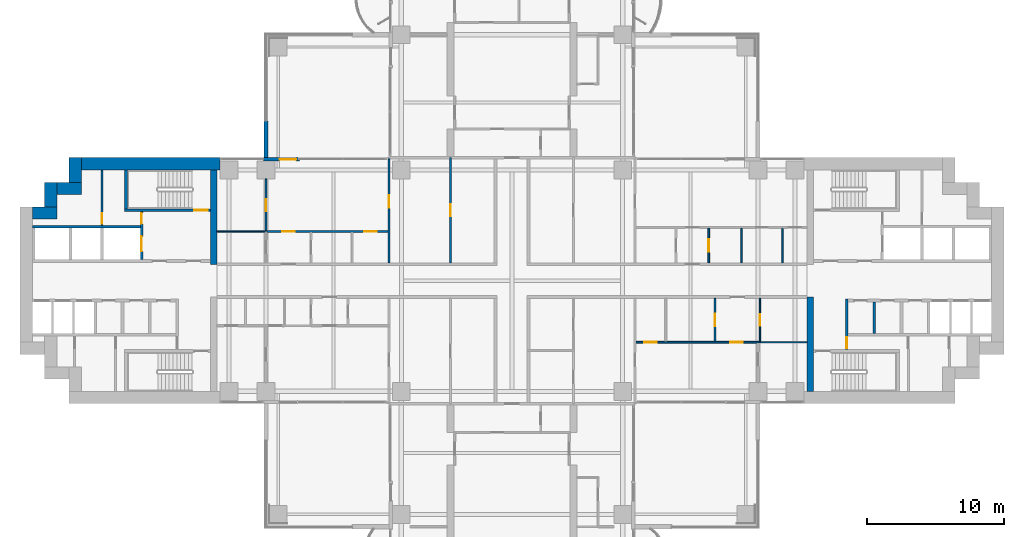
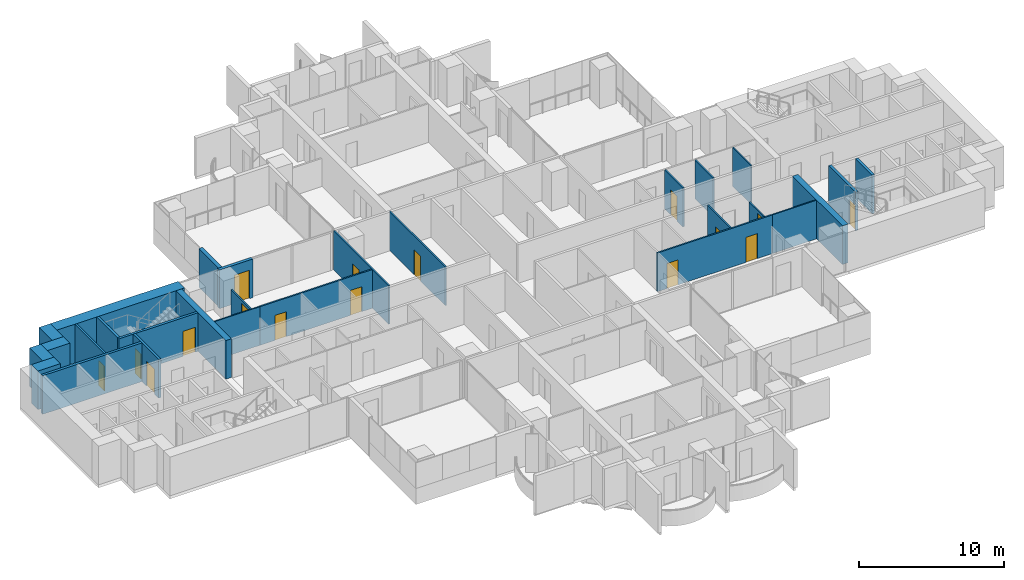
# One storey, part 13 of 20: 28 walls, 16 doors, 16 openings.
"""IFC4 building model written with IfcOpenShell, lengths in metres."""

from ifc_helpers import new_model, si_unit, direction, frame, frame_2d, origin, place, context, subcontext, project, spatial, rectangle, extrude, material, layer, layer_set, type_object, element, fill, save


model = new_model("IFC4")

# Units and contexts
model_context = context("Model", 3, precision=1e-05, world=origin(), true_north=direction((0.0, 1.0)))
body_context = subcontext(model_context, "Body", "Model", "MODEL_VIEW")
ifc_project = project(units=[si_unit("LENGTHUNIT", "METRE"), si_unit("AREAUNIT", "SQUARE_METRE"), si_unit("VOLUMEUNIT", "CUBIC_METRE"), si_unit("PLANEANGLEUNIT", "RADIAN"), si_unit("MASSUNIT", "GRAM", prefix="KILO")], contexts=[model_context])

# Site, building, storey
site_placement = place(None, origin())
site = spatial("IfcSite", under=ifc_project, at=site_placement, CompositionType="ELEMENT")
building_placement = place(site_placement, origin())
building = spatial("IfcBuilding", under=site, at=building_placement, Name="Perihelion Cross Residences", CompositionType="ELEMENT")
storey_placement = place(building_placement, frame((0.0, 0.0, 82.0)))
storey = spatial("IfcBuildingStorey", under=building, at=storey_placement, Name="L18", CompositionType="ELEMENT", Elevation=82.0)

# Wall, opening, door
ifc_material_1 = material(Name="Concrete C30/37, bronze-clad", Category="concrete")
ifc_layer_1 = layer(ifc_material_1, 0.25)
ifc_layer_set_1 = layer_set([ifc_layer_1], Name="Bronze-clad pier wall 250")
wall_type_1 = type_object("IfcWallType", Name="Bronze-clad pier wall 250", PredefinedType="SOLIDWALL", material=ifc_layer_set_1)
wall_1_placement = place(storey_placement, frame((-15.550048828125, 8.875, 0.0), z_axis=(0.0, 0.0, 1.0), x_axis=(-1.0, 0.0, 0.0)))
wall_1 = element("IfcWall", 1, at=wall_1_placement, inside=storey, type_object=wall_type_1, Name="Wall FW1 L18 west side north bay 1 pier", PredefinedType="SOLIDWALL", context=body_context, shape_type="SweptSolid", body=[
    extrude(rectangle(XDim=2.64990234375, YDim=0.25, at=frame_2d((1.324951171875, 0.0))), origin(), (0.0, 0.0, 1.0), 3.25),
])
opening_1_placement = place(wall_1_placement, frame((0.25, 0.0, 0.0)))
opening_1 = element("IfcOpeningElement", 2, at=opening_1_placement, cuts=wall_1, Name="Opening L18.E08", PredefinedType="OPENING", context=body_context, shape_type="SweptSolid", body=[
    extrude(rectangle(XDim=1.199951171875, YDim=2.39990234375, at=frame_2d((0.60009765625, 1.199951171875))), frame((0.0, 0.135009765625, 0.0), z_axis=(0.0, -1.0, 0.0), x_axis=(1.0, 0.0, 0.0)), (0.0, 0.0, 1.0), 0.27001953125),
])
ifc_material_2 = material(Name="Bronze anodised aluminium, glazed", Category="aluminium")
door_type_1 = type_object("IfcDoorType", Name="Balcony door 1200 x 2400", OperationType="NOTDEFINED", PredefinedType="DOOR", material=ifc_material_2)
door_1_placement = place(opening_1_placement, origin())
door_1 = element("IfcDoor", 3, at=door_1_placement, inside=storey, type_object=door_type_1, Name="Door L18.E08 west side north bay 1", OperationType="SINGLE_SWING_LEFT", OverallHeight=2.39990234375, OverallWidth=1.199951171875, PredefinedType="DOOR", context=body_context, shape_type="SweptSolid", body=[
    extrude(rectangle(XDim=1.199951171875, YDim=2.39990234375, at=frame_2d((0.60009765625, 1.199951171875))), frame((0.0, 0.02490234375, 0.0), z_axis=(0.0, -1.0, 0.0), x_axis=(1.0, 0.0, 0.0)), (0.0, 0.0, 1.0), 0.050048828125),
])
fill(opening_1, door_1)

# Walls
ifc_material_3 = material(Name="Concrete C60/75", Category="concrete")
ifc_layer_2 = layer(ifc_material_3, 0.449951171875)
ifc_layer_set_2 = layer_set([ifc_layer_2], Name="Core wall, inner 450")
wall_type_2 = type_object("IfcWallType", Name="Core wall, inner 450", PredefinedType="SHEAR", material=ifc_layer_set_2)
for number, where, z_axis, x_axis, name in (
    (4, (21.824951171875, -8.10009765625, 0.0), (0.0, 0.0, 1.0), (0.0, 1.0, 0.0), "East core core wall, inner"),
    (5, (-21.824951171875, 1.199951171875, 0.0), (0.0, 0.0, 1.0), (0.0, 1.0, 0.0), "West core core wall, inner"),
):
    element("IfcWall", number, at=place(storey_placement, frame(where, z_axis=z_axis, x_axis=x_axis)), inside=storey, type_object=wall_type_2, Name=name, PredefinedType="SHEAR", context=body_context, shape_type="SweptSolid", body=[
        extrude(rectangle(XDim=6.900146484375, YDim=0.449951171875, at=frame_2d((3.4501953125, 0.0))), origin(), (0.0, 0.0, 1.0), 3.25),
    ])
ifc_material_4 = material(Name="Concrete C60/75", Category="concrete")
ifc_layer_3 = layer(ifc_material_4, 0.89990234375)
ifc_layer_set_3 = layer_set([ifc_layer_3], Name="Core wall, outer 900")
wall_type_3 = type_object("IfcWallType", Name="Core wall, outer 900", PredefinedType="SHEAR", material=ifc_layer_set_3)
for number, where, z_axis, x_axis, name in (
    (6, (-35.10009765625, 4.949951171875, 0.0), (0.0, 0.0, 1.0), (1.0, 0.0, 0.0), "West core core wall, outer"),
    (7, (-33.75, 5.39990234375, 0.0), (0.0, 0.0, 1.0), (0.0, 1.0, 0.0), "West core core wall, outer"),
    (8, (-33.300048828125, 6.75, 0.0), (0.0, 0.0, 1.0), (1.0, 0.0, 0.0), "West core core wall, outer"),
    (9, (-31.949951171875, 7.199951171875, 0.0), (0.0, 0.0, 1.0), (0.0, 1.0, 0.0), "West core core wall, outer"),
):
    element("IfcWall", number, at=place(storey_placement, frame(where, z_axis=z_axis, x_axis=x_axis)), inside=storey, type_object=wall_type_3, Name=name, PredefinedType="SHEAR", context=body_context, shape_type="SweptSolid", body=[
        extrude(rectangle(XDim=1.800048828125, YDim=0.89990234375, at=frame_2d((0.89990234375, 0.0))), origin(), (0.0, 0.0, 1.0), 3.25),
    ])
wall_2_placement = place(storey_placement, frame((-31.5, 8.550048828125, 0.0), z_axis=(0.0, 0.0, 1.0), x_axis=(1.0, 0.0, 0.0)))
element("IfcWall", 10, at=wall_2_placement, inside=storey, type_object=wall_type_3, Name="West core core wall, outer", PredefinedType="SHEAR", context=body_context, shape_type="SweptSolid", body=[
    extrude(rectangle(XDim=10.14990234375, YDim=0.89990234375, at=frame_2d((5.074951171875, 0.0))), origin(), (0.0, 0.0, 1.0), 3.25),
])

# Wall, opening, door
ifc_material_5 = material(Name="Concrete C50/60", Category="concrete")
ifc_layer_4 = layer(ifc_material_5, 0.199951171875)
ifc_layer_set_4 = layer_set([ifc_layer_4], Name="Lobby wall 200")
wall_type_4 = type_object("IfcWallType", Name="Lobby wall 200", PredefinedType="SOLIDWALL", material=ifc_layer_set_4)
wall_3_placement = place(storey_placement, frame((24.5, -5.050048828125, 0.0), z_axis=(0.0, 0.0, 1.0), x_axis=(0.0, 1.0, 0.0)))
wall_3 = element("IfcWall", 11, at=wall_3_placement, inside=storey, type_object=wall_type_4, Name="East core lobby wall", PredefinedType="SOLIDWALL", context=body_context, shape_type="SweptSolid", body=[
    extrude(rectangle(XDim=3.699951171875, YDim=0.199951171875, at=frame_2d((1.85009765625, 0.0))), origin(), (0.0, 0.0, 1.0), 3.25),
])
opening_2_placement = place(wall_3_placement, frame((0.10009765625, 0.0, 0.0)))
opening_2 = element("IfcOpeningElement", 12, at=opening_2_placement, cuts=wall_3, Name="Opening L18.C08", PredefinedType="OPENING", context=body_context, shape_type="SweptSolid", body=[
    extrude(rectangle(XDim=0.800048828125, YDim=2.10009765625, at=frame_2d((0.39990234375, 1.050048828125))), frame((0.0, 0.10986328125, 0.0), z_axis=(0.0, -1.0, 0.0), x_axis=(1.0, 0.0, 0.0)), (0.0, 0.0, 1.0), 0.219970703125),
])
ifc_material_6 = material(Name="Steel, powder coated", Category="steel")
door_type_2 = type_object("IfcDoorType", Name="Riser door 800", OperationType="SINGLE_SWING_LEFT", PredefinedType="DOOR", material=ifc_material_6)
door_2_placement = place(opening_2_placement, origin())
door_2 = element("IfcDoor", 13, at=door_2_placement, inside=storey, type_object=door_type_2, Name="East core riser door", OperationType="SINGLE_SWING_LEFT", OverallHeight=2.10009765625, OverallWidth=0.800048828125, PredefinedType="DOOR", context=body_context, shape_type="SweptSolid", body=[
    extrude(rectangle(XDim=0.800048828125, YDim=2.10009765625, at=frame_2d((0.39990234375, 1.050048828125))), frame((0.0, 0.02490234375, 0.0), z_axis=(0.0, -1.0, 0.0), x_axis=(1.0, 0.0, 0.0)), (0.0, 0.0, 1.0), 0.050048828125),
])
fill(opening_2, door_2)

ifc_material_7 = material(Name="Plasterboard partition")
ifc_layer_5 = layer(ifc_material_7, 0.1201171875)
ifc_layer_set_5 = layer_set([ifc_layer_5], Name="Partition wall 120")
wall_type_5 = type_object("IfcWallType", Name="Partition wall 120", PredefinedType="PARTITIONING", material=ifc_layer_set_5)
wall_4_placement = place(storey_placement, frame((14.39990234375, 3.840087890625, 0.0), z_axis=(0.0, 0.0, 1.0), x_axis=(0.0, -1.0, 0.0)))
wall_4 = element("IfcWall", 14, at=wall_4_placement, inside=storey, type_object=wall_type_5, Name="Partition L18 W014", PredefinedType="PARTITIONING", context=body_context, shape_type="SweptSolid", body=[
    extrude(rectangle(XDim=2.5400390625, YDim=0.1201171875, at=frame_2d((1.27001953125, 0.0))), origin(), (0.0, 0.0, 1.0), 3.25),
])
opening_3_placement = place(wall_4_placement, frame((0.820068359375, 0.0, 0.0)))
opening_3 = element("IfcOpeningElement", 15, at=opening_3_placement, cuts=wall_4, Name="Opening L18.A07", PredefinedType="OPENING", context=body_context, shape_type="SweptSolid", body=[
    extrude(rectangle(XDim=0.89990234375, YDim=2.10009765625, at=frame_2d((0.449951171875, 1.050048828125))), frame((0.0, 0.070068359375, 0.0), z_axis=(0.0, -1.0, 0.0), x_axis=(1.0, 0.0, 0.0)), (0.0, 0.0, 1.0), 0.14013671875),
])
ifc_material_8 = material(Name="Timber door leaf", Category="wood")
door_type_3 = type_object("IfcDoorType", Name="Interior room door 900 x 2100", OperationType="SINGLE_SWING_LEFT", PredefinedType="DOOR", material=ifc_material_8)
door_3_placement = place(opening_3_placement, origin())
door_3 = element("IfcDoor", 16, at=door_3_placement, inside=storey, type_object=door_type_3, Name="Door L18.A07", OperationType="SINGLE_SWING_LEFT", OverallHeight=2.10009765625, OverallWidth=0.89990234375, PredefinedType="DOOR", context=body_context, shape_type="SweptSolid", body=[
    extrude(rectangle(XDim=0.89990234375, YDim=2.10009765625, at=frame_2d((0.449951171875, 1.050048828125))), frame((0.0, 0.02490234375, 0.0), z_axis=(0.0, -1.0, 0.0), x_axis=(1.0, 0.0, 0.0)), (0.0, 0.0, 1.0), 0.050048828125),
])
fill(opening_3, door_3)

# Wall, openings, doors
wall_5_placement = place(storey_placement, frame((18.06005859375, -4.5, 0.0), z_axis=(0.0, 0.0, 1.0), x_axis=(-1.0, 0.0, 0.0)))
wall_5 = element("IfcWall", 17, at=wall_5_placement, inside=storey, type_object=wall_type_5, Name="Partition L18 W021", PredefinedType="PARTITIONING", context=body_context, shape_type="SweptSolid", body=[
    extrude(rectangle(XDim=9.1201171875, YDim=0.1201171875, at=frame_2d((4.56005859375, 0.0))), origin(), (0.0, 0.0, 1.0), 3.25),
])
opening_4_placement = place(wall_5_placement, frame((1.18505859375, 0.0, 0.0)))
opening_4 = element("IfcOpeningElement", 18, at=opening_4_placement, cuts=wall_5, Name="Opening L18.A13", PredefinedType="OPENING", context=body_context, shape_type="SweptSolid", body=[
    extrude(rectangle(XDim=0.89990234375, YDim=2.10009765625, at=frame_2d((0.449951171875, 1.050048828125))), frame((0.0, 0.070068359375, 0.0), z_axis=(0.0, -1.0, 0.0), x_axis=(1.0, 0.0, 0.0)), (0.0, 0.0, 1.0), 0.14013671875),
])
opening_5_placement = place(wall_5_placement, frame((7.485107421875, 0.0, 0.0)))
opening_5 = element("IfcOpeningElement", 19, at=opening_5_placement, cuts=wall_5, Name="Opening L18.A15", PredefinedType="OPENING", context=body_context, shape_type="SweptSolid", body=[
    extrude(rectangle(XDim=0.89990234375, YDim=2.10009765625, at=frame_2d((0.449951171875, 1.050048828125))), frame((0.0, 0.070068359375, 0.0), z_axis=(0.0, -1.0, 0.0), x_axis=(1.0, 0.0, 0.0)), (0.0, 0.0, 1.0), 0.14013671875),
])
door_4_placement = place(opening_4_placement, origin())
door_4 = element("IfcDoor", 20, at=door_4_placement, inside=storey, type_object=door_type_3, Name="Door L18.A13", OperationType="SINGLE_SWING_RIGHT", OverallHeight=2.10009765625, OverallWidth=0.89990234375, PredefinedType="DOOR", context=body_context, shape_type="SweptSolid", body=[
    extrude(rectangle(XDim=0.89990234375, YDim=2.10009765625, at=frame_2d((0.449951171875, 1.050048828125))), frame((0.0, 0.02490234375, 0.0), z_axis=(0.0, -1.0, 0.0), x_axis=(1.0, 0.0, 0.0)), (0.0, 0.0, 1.0), 0.050048828125),
])
fill(opening_4, door_4)
door_5_placement = place(opening_5_placement, origin())
door_5 = element("IfcDoor", 21, at=door_5_placement, inside=storey, type_object=door_type_3, Name="Door L18.A15", OperationType="SINGLE_SWING_RIGHT", OverallHeight=2.10009765625, OverallWidth=0.89990234375, PredefinedType="DOOR", context=body_context, shape_type="SweptSolid", body=[
    extrude(rectangle(XDim=0.89990234375, YDim=2.10009765625, at=frame_2d((0.449951171875, 1.050048828125))), frame((0.0, 0.02490234375, 0.0), z_axis=(0.0, -1.0, 0.0), x_axis=(1.0, 0.0, 0.0)), (0.0, 0.0, 1.0), 0.050048828125),
])
fill(opening_5, door_5)

# Wall, opening, door
wall_6_placement = place(storey_placement, frame((14.85009765625, -1.300048828125, 0.0), z_axis=(0.0, 0.0, 1.0), x_axis=(0.0, -1.0, 0.0)))
wall_6 = element("IfcWall", 22, at=wall_6_placement, inside=storey, type_object=wall_type_5, Name="Partition L18 W023", PredefinedType="PARTITIONING", context=body_context, shape_type="SweptSolid", body=[
    extrude(rectangle(XDim=3.139892578125, YDim=0.1201171875, at=frame_2d((1.56982421875, 0.0))), origin(), (0.0, 0.0, 1.0), 3.25),
])
opening_6_placement = place(wall_6_placement, frame((1.1201171875, 0.0, 0.0)))
opening_6 = element("IfcOpeningElement", 23, at=opening_6_placement, cuts=wall_6, Name="Opening L18.A12", PredefinedType="OPENING", context=body_context, shape_type="SweptSolid", body=[
    extrude(rectangle(XDim=0.89990234375, YDim=2.10009765625, at=frame_2d((0.449951171875, 1.050048828125))), frame((0.0, 0.070068359375, 0.0), z_axis=(0.0, -1.0, 0.0), x_axis=(1.0, 0.0, 0.0)), (0.0, 0.0, 1.0), 0.14013671875),
])
door_6_placement = place(opening_6_placement, origin())
door_6 = element("IfcDoor", 24, at=door_6_placement, inside=storey, type_object=door_type_3, Name="Door L18.A12", OperationType="SINGLE_SWING_LEFT", OverallHeight=2.10009765625, OverallWidth=0.89990234375, PredefinedType="DOOR", context=body_context, shape_type="SweptSolid", body=[
    extrude(rectangle(XDim=0.89990234375, YDim=2.10009765625, at=frame_2d((0.449951171875, 1.050048828125))), frame((0.0, 0.02490234375, 0.0), z_axis=(0.0, -1.0, 0.0), x_axis=(1.0, 0.0, 0.0)), (0.0, 0.0, 1.0), 0.050048828125),
])
fill(opening_6, door_6)

# Wall, openings, doors
wall_7_placement = place(storey_placement, frame((-18.0, 3.60009765625, 0.0), z_axis=(0.0, 0.0, 1.0), x_axis=(1.0, 0.0, 0.0)))
wall_7 = element("IfcWall", 25, at=wall_7_placement, inside=storey, type_object=wall_type_5, Name="Partition L18 W031", PredefinedType="PARTITIONING", context=body_context, shape_type="SweptSolid", body=[
    extrude(rectangle(XDim=9.06005859375, YDim=0.1201171875, at=frame_2d((4.530029296875, 0.0))), origin(), (0.0, 0.0, 1.0), 3.25),
])
opening_7_placement = place(wall_7_placement, frame((1.199951171875, 0.0, 0.0)))
opening_7 = element("IfcOpeningElement", 26, at=opening_7_placement, cuts=wall_7, Name="Opening L18.A20", PredefinedType="OPENING", context=body_context, shape_type="SweptSolid", body=[
    extrude(rectangle(XDim=0.89990234375, YDim=2.10009765625, at=frame_2d((0.449951171875, 1.050048828125))), frame((0.0, 0.070068359375, 0.0), z_axis=(0.0, -1.0, 0.0), x_axis=(1.0, 0.0, 0.0)), (0.0, 0.0, 1.0), 0.14013671875),
])
opening_8_placement = place(wall_7_placement, frame((7.199951171875, 0.0, 0.0)))
opening_8 = element("IfcOpeningElement", 27, at=opening_8_placement, cuts=wall_7, Name="Opening L18.A22", PredefinedType="OPENING", context=body_context, shape_type="SweptSolid", body=[
    extrude(rectangle(XDim=0.89990234375, YDim=2.10009765625, at=frame_2d((0.449951171875, 1.050048828125))), frame((0.0, 0.070068359375, 0.0), z_axis=(0.0, -1.0, 0.0), x_axis=(1.0, 0.0, 0.0)), (0.0, 0.0, 1.0), 0.14013671875),
])
door_7_placement = place(opening_7_placement, origin())
door_7 = element("IfcDoor", 28, at=door_7_placement, inside=storey, type_object=door_type_3, Name="Door L18.A20", OperationType="SINGLE_SWING_RIGHT", OverallHeight=2.10009765625, OverallWidth=0.89990234375, PredefinedType="DOOR", context=body_context, shape_type="SweptSolid", body=[
    extrude(rectangle(XDim=0.89990234375, YDim=2.10009765625, at=frame_2d((0.449951171875, 1.050048828125))), frame((0.0, 0.02490234375, 0.0), z_axis=(0.0, -1.0, 0.0), x_axis=(1.0, 0.0, 0.0)), (0.0, 0.0, 1.0), 0.050048828125),
])
fill(opening_7, door_7)
door_8_placement = place(opening_8_placement, origin())
door_8 = element("IfcDoor", 29, at=door_8_placement, inside=storey, type_object=door_type_3, Name="Door L18.A22", OperationType="SINGLE_SWING_RIGHT", OverallHeight=2.10009765625, OverallWidth=0.89990234375, PredefinedType="DOOR", context=body_context, shape_type="SweptSolid", body=[
    extrude(rectangle(XDim=0.89990234375, YDim=2.10009765625, at=frame_2d((0.449951171875, 1.050048828125))), frame((0.0, 0.02490234375, 0.0), z_axis=(0.0, -1.0, 0.0), x_axis=(1.0, 0.0, 0.0)), (0.0, 0.0, 1.0), 0.050048828125),
])
fill(opening_8, door_8)

# Wall, opening, door
wall_8_placement = place(storey_placement, frame((-9.0, 8.919921875, 0.0), z_axis=(0.0, 0.0, 1.0), x_axis=(0.0, -1.0, 0.0)))
wall_8 = element("IfcWall", 30, at=wall_8_placement, inside=storey, type_object=wall_type_5, Name="Partition L18 W032", PredefinedType="PARTITIONING", context=body_context, shape_type="SweptSolid", body=[
    extrude(rectangle(XDim=7.619873046875, YDim=0.1201171875, at=frame_2d((3.81005859375, 0.0))), origin(), (0.0, 0.0, 1.0), 3.25),
])
opening_9_placement = place(wall_8_placement, frame((2.669921875, 0.0, 0.0)))
opening_9 = element("IfcOpeningElement", 31, at=opening_9_placement, cuts=wall_8, Name="Opening L18.A18", PredefinedType="OPENING", context=body_context, shape_type="SweptSolid", body=[
    extrude(rectangle(XDim=0.89990234375, YDim=2.10009765625, at=frame_2d((0.449951171875, 1.050048828125))), frame((0.0, 0.070068359375, 0.0), z_axis=(0.0, -1.0, 0.0), x_axis=(1.0, 0.0, 0.0)), (0.0, 0.0, 1.0), 0.14013671875),
])
door_9_placement = place(opening_9_placement, origin())
door_9 = element("IfcDoor", 32, at=door_9_placement, inside=storey, type_object=door_type_3, Name="Door L18.A18", OperationType="SINGLE_SWING_RIGHT", OverallHeight=2.10009765625, OverallWidth=0.89990234375, PredefinedType="DOOR", context=body_context, shape_type="SweptSolid", body=[
    extrude(rectangle(XDim=0.89990234375, YDim=2.10009765625, at=frame_2d((0.449951171875, 1.050048828125))), frame((0.0, 0.02490234375, 0.0), z_axis=(0.0, -1.0, 0.0), x_axis=(1.0, 0.0, 0.0)), (0.0, 0.0, 1.0), 0.050048828125),
])
fill(opening_9, door_9)

wall_9_placement = place(storey_placement, frame((-18.0, 3.60009765625, 0.0), z_axis=(0.0, 0.0, 1.0), x_axis=(0.0, 1.0, 0.0)))
wall_9 = element("IfcWall", 33, at=wall_9_placement, inside=storey, type_object=wall_type_5, Name="Partition L18 W036", PredefinedType="PARTITIONING", context=body_context, shape_type="SweptSolid", body=[
    extrude(rectangle(XDim=3.849853515625, YDim=0.1201171875, at=frame_2d((1.9248046875, 0.0))), origin(), (0.0, 0.0, 1.0), 2.345947265625),
])
opening_10_placement = place(wall_9_placement, frame((1.47509765625, 0.0, 0.0)))
opening_10 = element("IfcOpeningElement", 34, at=opening_10_placement, cuts=wall_9, Name="Opening L18.A21", PredefinedType="OPENING", context=body_context, shape_type="SweptSolid", body=[
    extrude(rectangle(XDim=0.89990234375, YDim=2.10009765625, at=frame_2d((0.449951171875, 1.050048828125))), frame((0.0, 0.070068359375, 0.0), z_axis=(0.0, -1.0, 0.0), x_axis=(1.0, 0.0, 0.0)), (0.0, 0.0, 1.0), 0.14013671875),
])
door_10_placement = place(opening_10_placement, origin())
door_10 = element("IfcDoor", 35, at=door_10_placement, inside=storey, type_object=door_type_3, Name="Door L18.A21", OperationType="SINGLE_SWING_LEFT", OverallHeight=2.10009765625, OverallWidth=0.89990234375, PredefinedType="DOOR", context=body_context, shape_type="SweptSolid", body=[
    extrude(rectangle(XDim=0.89990234375, YDim=2.10009765625, at=frame_2d((0.449951171875, 1.050048828125))), frame((0.0, 0.02490234375, 0.0), z_axis=(0.0, -1.0, 0.0), x_axis=(1.0, 0.0, 0.0)), (0.0, 0.0, 1.0), 0.050048828125),
])
fill(opening_10, door_10)

wall_10_placement = place(storey_placement, frame((-4.5, 9.0, 0.0), z_axis=(0.0, 0.0, 1.0), x_axis=(0.0, -1.0, 0.0)))
wall_10 = element("IfcWall", 36, at=wall_10_placement, inside=storey, type_object=wall_type_5, Name="Partition L18 W037", PredefinedType="PARTITIONING", context=body_context, shape_type="SweptSolid", body=[
    extrude(rectangle(XDim=7.699951171875, YDim=0.1201171875, at=frame_2d((3.85009765625, 0.0))), origin(), (0.0, 0.0, 1.0), 3.25),
])
opening_11_placement = place(wall_10_placement, frame((3.39990234375, 0.0, 0.0)))
opening_11 = element("IfcOpeningElement", 37, at=opening_11_placement, cuts=wall_10, Name="Opening L18.A19", PredefinedType="OPENING", context=body_context, shape_type="SweptSolid", body=[
    extrude(rectangle(XDim=0.89990234375, YDim=2.10009765625, at=frame_2d((0.449951171875, 1.050048828125))), frame((0.0, 0.070068359375, 0.0), z_axis=(0.0, -1.0, 0.0), x_axis=(1.0, 0.0, 0.0)), (0.0, 0.0, 1.0), 0.14013671875),
])
door_11_placement = place(opening_11_placement, origin())
door_11 = element("IfcDoor", 38, at=door_11_placement, inside=storey, type_object=door_type_3, Name="Door L18.A19", OperationType="SINGLE_SWING_RIGHT", OverallHeight=2.10009765625, OverallWidth=0.89990234375, PredefinedType="DOOR", context=body_context, shape_type="SweptSolid", body=[
    extrude(rectangle(XDim=0.89990234375, YDim=2.10009765625, at=frame_2d((0.449951171875, 1.050048828125))), frame((0.0, 0.02490234375, 0.0), z_axis=(0.0, -1.0, 0.0), x_axis=(1.0, 0.0, 0.0)), (0.0, 0.0, 1.0), 0.050048828125),
])
fill(opening_11, door_11)

# Wall
ifc_material_9 = material(Name="Precast concrete C50/60", Category="concrete")
ifc_layer_6 = layer(ifc_material_9, 0.300048828125)
ifc_layer_set_6 = layer_set([ifc_layer_6], Name="Precast concrete C50/60 blade wall 300")
wall_type_6 = type_object("IfcWallType", Name="Precast concrete C50/60 blade wall 300", PredefinedType="SOLIDWALL", material=ifc_layer_set_6)
wall_11_placement = place(storey_placement, frame((-18.0, 8.75, 0.0), z_axis=(0.0, 0.0, 1.0), x_axis=(0.0, 1.0, 0.0)))
element("IfcWall", 39, at=wall_11_placement, inside=storey, type_object=wall_type_6, Name="Wall BL1 L18 no. 2", PredefinedType="SOLIDWALL", context=body_context, shape_type="SweptSolid", body=[
    extrude(rectangle(XDim=2.949951171875, YDim=0.300048828125, at=frame_2d((1.47509765625, 0.0))), origin(), (0.0, 0.0, 1.0), 3.25),
])

# Wall, opening, door
ifc_material_10 = material(Name="Fire-rated board on steel stud", Category="steel")
ifc_layer_7 = layer(ifc_material_10, 0.14990234375)
ifc_layer_set_7 = layer_set([ifc_layer_7], Name="Riser wall 150")
wall_type_7 = type_object("IfcWallType", Name="Riser wall 150", PredefinedType="PARTITIONING", material=ifc_layer_set_7)
wall_12_placement = place(storey_placement, frame((-30.0, 4.050048828125, 0.0), z_axis=(0.0, 0.0, 1.0), x_axis=(0.0, 1.0, 0.0)))
wall_12 = element("IfcWall", 40, at=wall_12_placement, inside=storey, type_object=wall_type_7, Name="West core riser wall", PredefinedType="PARTITIONING", context=body_context, shape_type="SweptSolid", body=[
    extrude(rectangle(XDim=4.050048828125, YDim=0.14990234375, at=frame_2d((2.02490234375, 0.0))), origin(), (0.0, 0.0, 1.0), 3.25),
])
opening_12_placement = place(wall_12_placement, frame((0.10009765625, 0.0, 0.0)))
opening_12 = element("IfcOpeningElement", 41, at=opening_12_placement, cuts=wall_12, Name="Opening L18.C31", PredefinedType="OPENING", context=body_context, shape_type="SweptSolid", body=[
    extrude(rectangle(XDim=0.800048828125, YDim=2.10009765625, at=frame_2d((0.39990234375, 1.050048828125))), frame((0.0, 0.0849609375, 0.0), z_axis=(0.0, -1.0, 0.0), x_axis=(1.0, 0.0, 0.0)), (0.0, 0.0, 1.0), 0.169921875),
])
door_12_placement = place(opening_12_placement, origin())
door_12 = element("IfcDoor", 42, at=door_12_placement, inside=storey, type_object=door_type_2, Name="West core riser door", OperationType="SINGLE_SWING_LEFT", OverallHeight=2.10009765625, OverallWidth=0.800048828125, PredefinedType="DOOR", context=body_context, shape_type="SweptSolid", body=[
    extrude(rectangle(XDim=0.800048828125, YDim=2.10009765625, at=frame_2d((0.39990234375, 1.050048828125))), frame((0.0, 0.02490234375, 0.0), z_axis=(0.0, -1.0, 0.0), x_axis=(1.0, 0.0, 0.0)), (0.0, 0.0, 1.0), 0.050048828125),
])
fill(opening_12, door_12)

# Walls
ifc_material_11 = material(Name="Fire-rated board on steel stud", Category="steel")
ifc_layer_8 = layer(ifc_material_11, 0.199951171875)
ifc_layer_set_8 = layer_set([ifc_layer_8], Name="Riser wall 200")
wall_type_8 = type_object("IfcWallType", Name="Riser wall 200", PredefinedType="PARTITIONING", material=ifc_layer_set_8)
wall_13_placement = place(storey_placement, frame((26.5, -3.85009765625, 0.0), z_axis=(0.0, 0.0, 1.0), x_axis=(0.0, 1.0, 0.0)))
element("IfcWall", 43, at=wall_13_placement, inside=storey, type_object=wall_type_8, Name="East core riser wall", PredefinedType="PARTITIONING", context=body_context, shape_type="SweptSolid", body=[
    extrude(rectangle(XDim=2.300048828125, YDim=0.199951171875, at=frame_2d((1.14990234375, 0.0))), origin(), (0.0, 0.0, 1.0), 3.25),
])
ifc_material_12 = material(Name="Concrete C50/60", Category="concrete")
ifc_layer_9 = layer(ifc_material_12, 0.199951171875)
ifc_layer_set_9 = layer_set([ifc_layer_9], Name="Shaft wall 200")
wall_type_9 = type_object("IfcWallType", Name="Shaft wall 200", PredefinedType="SOLIDWALL", material=ifc_layer_set_9)
wall_14_placement = place(storey_placement, frame((-35.10009765625, 3.949951171875, 0.0), z_axis=(0.0, 0.0, 1.0), x_axis=(1.0, 0.0, 0.0)))
element("IfcWall", 44, at=wall_14_placement, inside=storey, type_object=wall_type_9, Name="West core shaft wall", PredefinedType="SOLIDWALL", context=body_context, shape_type="SweptSolid", body=[
    extrude(rectangle(XDim=7.900146484375, YDim=0.199951171875, at=frame_2d((3.9501953125, 0.0))), origin(), (0.0, 0.0, 1.0), 3.25),
])

# Wall, openings, doors
wall_15_placement = place(storey_placement, frame((-27.10009765625, 1.550048828125, 0.0), z_axis=(0.0, 0.0, 1.0), x_axis=(0.0, 1.0, 0.0)))
wall_15 = element("IfcWall", 45, at=wall_15_placement, inside=storey, type_object=wall_type_9, Name="West core shaft wall", PredefinedType="SOLIDWALL", context=body_context, shape_type="SweptSolid", body=[
    extrude(rectangle(XDim=3.5, YDim=0.199951171875, at=frame_2d((1.75, 0.0))), origin(), (0.0, 0.0, 1.0), 3.25),
])
opening_13_placement = place(wall_15_placement, frame((0.60009765625, 0.0, 0.0)))
opening_13 = element("IfcOpeningElement", 46, at=opening_13_placement, cuts=wall_15, Name="Opening L18.C17", PredefinedType="OPENING", context=body_context, shape_type="SweptSolid", body=[
    extrude(rectangle(XDim=1.10009765625, YDim=2.10009765625, at=frame_2d((0.550048828125, 1.050048828125))), frame((0.0, 0.10986328125, 0.0), z_axis=(0.0, -1.0, 0.0), x_axis=(1.0, 0.0, 0.0)), (0.0, 0.0, 1.0), 0.219970703125),
])
opening_14_placement = place(wall_15_placement, frame((2.60009765625, 0.0, 0.0)))
opening_14 = element("IfcOpeningElement", 47, at=opening_14_placement, cuts=wall_15, Name="Opening L18.C27", PredefinedType="OPENING", context=body_context, shape_type="SweptSolid", body=[
    extrude(rectangle(XDim=0.800048828125, YDim=2.10009765625, at=frame_2d((0.39990234375, 1.050048828125))), frame((0.0, 0.10986328125, 0.0), z_axis=(0.0, -1.0, 0.0), x_axis=(1.0, 0.0, 0.0)), (0.0, 0.0, 1.0), 0.219970703125),
])
ifc_material_13 = material(Name="Stainless steel", Category="steel")
door_type_4 = type_object("IfcDoorType", Name="Landing door, firefighting lift 1100", OperationType="DOUBLE_DOOR_SLIDING", PredefinedType="DOOR", material=ifc_material_13)
door_13_placement = place(opening_13_placement, origin())
door_13 = element("IfcDoor", 48, at=door_13_placement, inside=storey, type_object=door_type_4, Name="Landing door, West core firefighting and service lift", OperationType="DOUBLE_DOOR_SLIDING", OverallHeight=2.10009765625, OverallWidth=1.10009765625, PredefinedType="DOOR", context=body_context, shape_type="SweptSolid", body=[
    extrude(rectangle(XDim=1.10009765625, YDim=2.10009765625, at=frame_2d((0.550048828125, 1.050048828125))), frame((0.0, 0.02490234375, 0.0), z_axis=(0.0, -1.0, 0.0), x_axis=(1.0, 0.0, 0.0)), (0.0, 0.0, 1.0), 0.050048828125),
])
fill(opening_13, door_13)
door_14_placement = place(opening_14_placement, origin())
door_14 = element("IfcDoor", 49, at=door_14_placement, inside=storey, type_object=door_type_2, Name="West core riser door", OperationType="SINGLE_SWING_LEFT", OverallHeight=2.10009765625, OverallWidth=0.800048828125, PredefinedType="DOOR", context=body_context, shape_type="SweptSolid", body=[
    extrude(rectangle(XDim=0.800048828125, YDim=2.10009765625, at=frame_2d((0.39990234375, 1.050048828125))), frame((0.0, 0.02490234375, 0.0), z_axis=(0.0, -1.0, 0.0), x_axis=(1.0, 0.0, 0.0)), (0.0, 0.0, 1.0), 0.050048828125),
])
fill(opening_14, door_14)

# Wall, opening, door
ifc_material_14 = material(Name="Concrete C50/60", Category="concrete")
ifc_layer_10 = layer(ifc_material_14, 0.199951171875)
ifc_layer_set_10 = layer_set([ifc_layer_10], Name="Stair wall 200")
wall_type_10 = type_object("IfcWallType", Name="Stair wall 200", PredefinedType="SOLIDWALL", material=ifc_layer_set_10)
wall_16_placement = place(storey_placement, frame((-28.35009765625, 5.14990234375, 0.0), z_axis=(0.0, 0.0, 1.0), x_axis=(1.0, 0.0, 0.0)))
wall_16 = element("IfcWall", 50, at=wall_16_placement, inside=storey, type_object=wall_type_10, Name="West core stair wall", PredefinedType="SOLIDWALL", context=body_context, shape_type="SweptSolid", body=[
    extrude(rectangle(XDim=6.300048828125, YDim=0.199951171875, at=frame_2d((3.14990234375, 0.0))), origin(), (0.0, 0.0, 1.0), 3.25),
])
opening_15_placement = place(wall_16_placement, frame((5.10009765625, 0.0, 0.0)))
opening_15 = element("IfcOpeningElement", 51, at=opening_15_placement, cuts=wall_16, Name="Opening L18.C22", PredefinedType="OPENING", context=body_context, shape_type="SweptSolid", body=[
    extrude(rectangle(XDim=1.0, YDim=2.10009765625, at=frame_2d((0.5, 1.050048828125))), frame((0.0, 0.10986328125, 0.0), z_axis=(0.0, -1.0, 0.0), x_axis=(1.0, 0.0, 0.0)), (0.0, 0.0, 1.0), 0.219970703125),
])
ifc_material_15 = material(Name="Steel, powder coated", Category="steel")
door_type_5 = type_object("IfcDoorType", Name="Stair door 1000", OperationType="SINGLE_SWING_LEFT", PredefinedType="DOOR", material=ifc_material_15)
door_15_placement = place(opening_15_placement, origin())
door_15 = element("IfcDoor", 52, at=door_15_placement, inside=storey, type_object=door_type_5, Name="West core stair door", OperationType="SINGLE_SWING_LEFT", OverallHeight=2.10009765625, OverallWidth=1.0, PredefinedType="DOOR", context=body_context, shape_type="SweptSolid", body=[
    extrude(rectangle(XDim=1.0, YDim=2.10009765625, at=frame_2d((0.5, 1.050048828125))), frame((0.0, 0.02490234375, 0.0), z_axis=(0.0, -1.0, 0.0), x_axis=(1.0, 0.0, 0.0)), (0.0, 0.0, 1.0), 0.050048828125),
])
fill(opening_15, door_15)

# Walls
wall_17_placement = place(storey_placement, frame((-28.25, 5.25, 0.0), z_axis=(0.0, 0.0, 1.0), x_axis=(0.0, 1.0, 0.0)))
element("IfcWall", 53, at=wall_17_placement, inside=storey, type_object=wall_type_10, Name="West core stair wall", PredefinedType="SOLIDWALL", context=body_context, shape_type="SweptSolid", body=[
    extrude(rectangle(XDim=2.85009765625, YDim=0.199951171875, at=frame_2d((1.425048828125, 0.0))), origin(), (0.0, 0.0, 1.0), 3.25),
])
ifc_material_16 = material(Name="Plasterboard partition")
ifc_layer_11 = layer(ifc_material_16, 0.10009765625)
ifc_layer_set_11 = layer_set([ifc_layer_11], Name="Wet room wall 100")
wall_type_11 = type_object("IfcWallType", Name="Wet room wall 100", PredefinedType="PARTITIONING", material=ifc_layer_set_11)
for number, where, z_axis, x_axis, name in (
    (54, (16.800048828125, 3.840087890625, 0.0), (0.0, 0.0, 1.0), (0.0, -1.0, 0.0), "Partition L18 W015"),
    (55, (19.800048828125, 3.840087890625, 0.0), (0.0, 0.0, 1.0), (0.0, -1.0, 0.0), "Partition L18 W016"),
):
    element("IfcWall", number, at=place(storey_placement, frame(where, z_axis=z_axis, x_axis=x_axis)), inside=storey, type_object=wall_type_11, Name=name, PredefinedType="PARTITIONING", context=body_context, shape_type="SweptSolid", body=[
        extrude(rectangle(XDim=2.5400390625, YDim=0.10009765625, at=frame_2d((1.27001953125, 0.0))), origin(), (0.0, 0.0, 1.0), 3.25),
    ])

# Wall, opening, door
wall_18_placement = place(storey_placement, frame((18.14990234375, -1.300048828125, 0.0), z_axis=(0.0, 0.0, 1.0), x_axis=(0.0, -1.0, 0.0)))
wall_18 = element("IfcWall", 56, at=wall_18_placement, inside=storey, type_object=wall_type_11, Name="Partition L18 W024", PredefinedType="PARTITIONING", context=body_context, shape_type="SweptSolid", body=[
    extrude(rectangle(XDim=3.14990234375, YDim=0.10009765625, at=frame_2d((1.574951171875, 0.0))), origin(), (0.0, 0.0, 1.0), 2.345947265625),
])
opening_16_placement = place(wall_18_placement, frame((1.14990234375, 0.0, 0.0)))
opening_16 = element("IfcOpeningElement", 57, at=opening_16_placement, cuts=wall_18, Name="Opening L18.A08", PredefinedType="OPENING", context=body_context, shape_type="SweptSolid", body=[
    extrude(rectangle(XDim=0.85009765625, YDim=2.10009765625, at=frame_2d((0.425048828125, 1.050048828125))), frame((0.0, 0.06005859375, 0.0), z_axis=(0.0, -1.0, 0.0), x_axis=(1.0, 0.0, 0.0)), (0.0, 0.0, 1.0), 0.1201171875),
])
ifc_material_17 = material(Name="Timber door leaf", Category="wood")
door_type_6 = type_object("IfcDoorType", Name="Interior bathroom door 850 x 2100", OperationType="SINGLE_SWING_LEFT", PredefinedType="DOOR", material=ifc_material_17)
door_16_placement = place(opening_16_placement, origin())
door_16 = element("IfcDoor", 58, at=door_16_placement, inside=storey, type_object=door_type_6, Name="Door L18.A08", OperationType="SINGLE_SWING_LEFT", OverallHeight=2.10009765625, OverallWidth=0.85009765625, PredefinedType="DOOR", context=body_context, shape_type="SweptSolid", body=[
    extrude(rectangle(XDim=0.85009765625, YDim=2.10009765625, at=frame_2d((0.425048828125, 1.050048828125))), frame((0.0, 0.02490234375, 0.0), z_axis=(0.0, -1.0, 0.0), x_axis=(1.0, 0.0, 0.0)), (0.0, 0.0, 1.0), 0.050048828125),
])
fill(opening_16, door_16)

# Walls
wall_19_placement = place(storey_placement, frame((21.60009765625, -4.5, 0.0), z_axis=(0.0, 0.0, 1.0), x_axis=(-1.0, 0.0, 0.0)))
element("IfcWall", 59, at=wall_19_placement, inside=storey, type_object=wall_type_11, Name="Partition L18 W025", PredefinedType="PARTITIONING", context=body_context, shape_type="SweptSolid", body=[
    extrude(rectangle(XDim=3.5, YDim=0.10009765625, at=frame_2d((1.75, 0.0))), origin(), (0.0, 0.0, 1.0), 3.25),
])
wall_20_placement = place(storey_placement, frame((-21.60009765625, 3.60009765625, 0.0), z_axis=(0.0, 0.0, 1.0), x_axis=(1.0, 0.0, 0.0)))
element("IfcWall", 60, at=wall_20_placement, inside=storey, type_object=wall_type_11, Name="Partition L18 W035", PredefinedType="PARTITIONING", context=body_context, shape_type="SweptSolid", body=[
    extrude(rectangle(XDim=3.60009765625, YDim=0.10009765625, at=frame_2d((1.800048828125, 0.0))), origin(), (0.0, 0.0, 1.0), 3.25),
])

save(model, "model.ifc")
